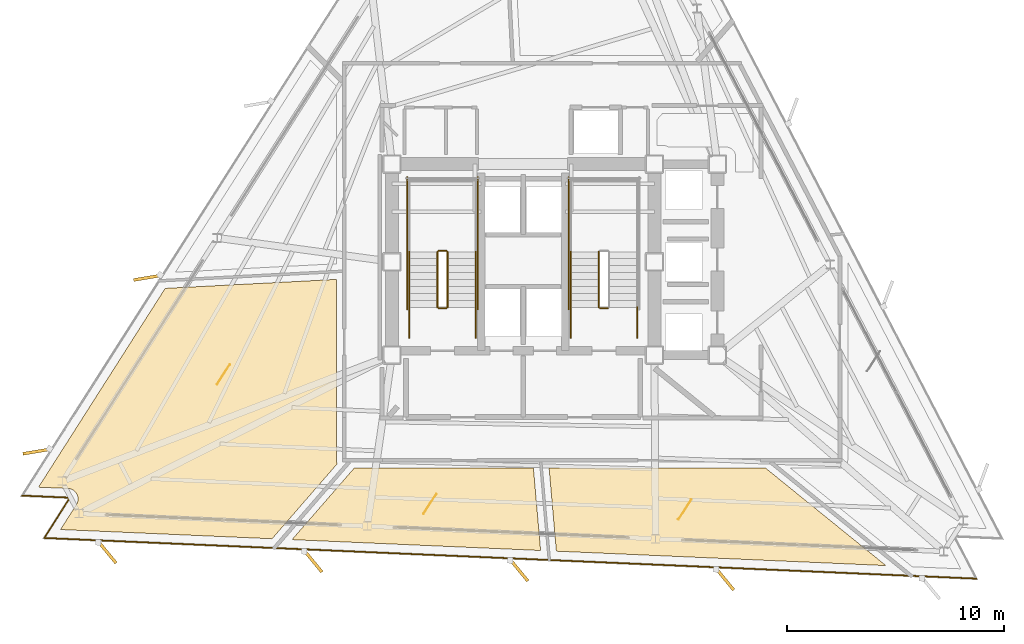
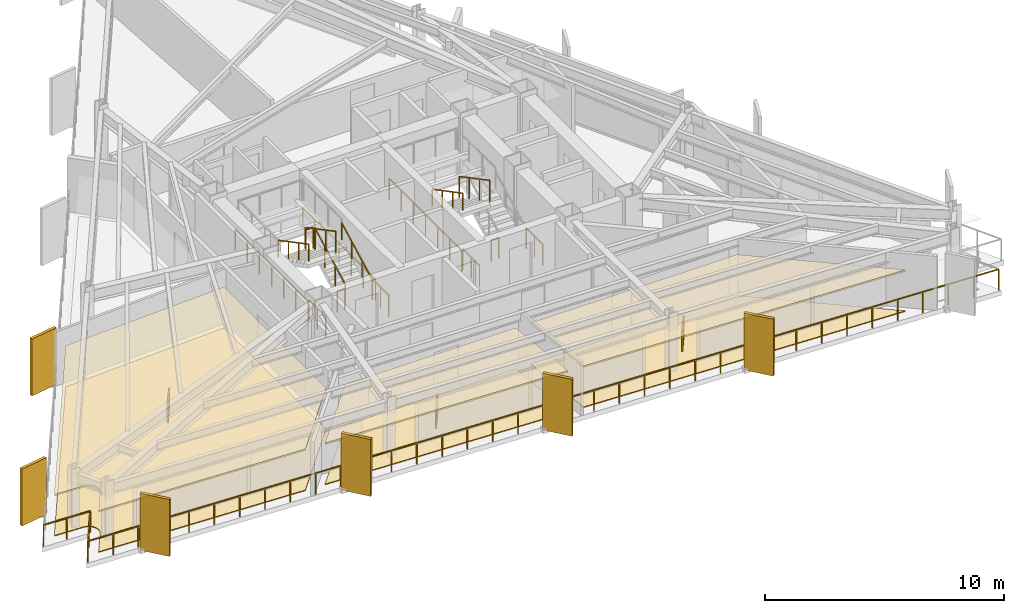
# One storey, part 10 of 12: 17 railings, 9 coverings, 6 shading devices.
"""IFC4 building model written with IfcOpenShell, lengths in metres."""

from ifc_helpers import new_model, si_unit, direction, frame, origin, origin_2d, place, context, subcontext, project, spatial, polyline, rectangle, outline, extrude, material, layer, layer_set, type_object, element, save


model = new_model("IFC4")

# Units and contexts
model_context = context("Model", 3, precision=1e-05, world=origin(), true_north=direction((0.0, 1.0)))
body_context = subcontext(model_context, "Body", "Model", "MODEL_VIEW")
ifc_project = project(units=[si_unit("LENGTHUNIT", "METRE"), si_unit("AREAUNIT", "SQUARE_METRE"), si_unit("VOLUMEUNIT", "CUBIC_METRE"), si_unit("PLANEANGLEUNIT", "RADIAN"), si_unit("MASSUNIT", "GRAM", prefix="KILO")], contexts=[model_context])

# Site, building, storey
site_placement = place(None, origin())
site = spatial("IfcSite", under=ifc_project, at=site_placement, CompositionType="ELEMENT")
building_placement = place(site_placement, origin())
building = spatial("IfcBuilding", under=site, at=building_placement, Name="Rocaltana Carrier Exchange", CompositionType="ELEMENT")
storey_placement = place(building_placement, frame((0.0, 0.0, 132.0)))
storey = spatial("IfcBuildingStorey", under=building, at=storey_placement, Name="L41", CompositionType="ELEMENT", Elevation=132.0)

# Coverings
ifc_material_1 = material(Name="Honed Bogota Sandstone Tile", Category="masonry")
ifc_layer_1 = layer(ifc_material_1, 0.0400390625)
ifc_layer_set_1 = layer_set([ifc_layer_1], Name="Honed Bogota Sandstone Tile")
covering_type_1 = type_object("IfcCoveringType", Name="Honed Stone Lobby Flooring 40", PredefinedType="FLOORING", material=ifc_layer_set_1)
covering_1_placement = place(storey_placement, origin())
element("IfcCovering", 1, at=covering_1_placement, inside=storey, type_object=covering_type_1, Name="L41 Carrier Peering Suite Finish Floor", PredefinedType="FLOORING", context=body_context, shape_type="SweptSolid", body=[
    extrude(outline(polyline([(-20.592041015625, -11.18798828125), (-20.584716796875, -11.176025390625), (-20.574951171875, -11.15869140625), (-20.562255859375, -11.1337890625), (-20.55419921875, -11.11572265625), (-20.544189453125, -11.089599609375), (-20.5380859375, -11.07080078125), (-20.530517578125, -11.043701171875), (-20.5263671875, -11.0244140625), (-20.521484375, -10.996826171875), (-20.519287109375, -10.97705078125), (-20.517333984375, -10.94921875), (-20.516845703125, -10.92919921875), (-20.517822265625, -10.9013671875), (-20.519287109375, -10.88134765625), (-20.523193359375, -10.853759765625), (-20.526611328125, -10.833984375), (-20.532958984375, -10.806884765625), (-20.53857421875, -10.787841796875), (-20.547607421875, -10.761474609375), (-20.554931640625, -10.742919921875), (-20.566650390625, -10.717529296875), (-20.575927734375, -10.69970703125), (-20.590087890625, -10.67578125), (-20.600830078125, -10.6591796875), (-20.6171875, -10.636474609375), (-20.6298828125, -10.62109375), (-20.6484375, -10.60009765625), (-20.66259765625, -10.5859375), (-20.68310546875, -10.567138671875), (-20.698486328125, -10.554443359375), (-20.720703125, -10.53759765625), (-20.7373046875, -10.526611328125), (-20.76123046875, -10.51220703125), (-20.77880859375, -10.502685546875), (-20.803955078125, -10.49072265625), (-20.822509765625, -10.483154296875), (-20.8486328125, -10.473876953125), (-20.867919921875, -10.468017578125), (-20.89501953125, -10.461181640625), (-20.91455078125, -10.45751953125), (-20.942138671875, -10.45361328125), (-20.9619140625, -10.45166015625), (-20.975830078125, -10.45068359375), (-22.34326171875, -10.39111328125), (-16.50390625, -1.225341796875), (-8.610107421875, -0.811767578125), (-8.610107421875, -9.14990234375), (-8.609619140625, -9.163818359375), (-8.609375, -9.171630859375), (-8.606689453125, -9.198974609375), (-8.60546875, -9.206787109375), (-8.60009765625, -9.233642578125), (-8.59814453125, -9.2412109375), (-8.590087890625, -9.267578125), (-8.58740234375, -9.27490234375), (-8.576904296875, -9.30029296875), (-8.57373046875, -9.307373046875), (-8.5712890625, -9.3115234375), (-11.576171875, -12.76806640625), (-21.327392578125, -12.34228515625), (-20.592041015625, -11.18798828125)])), origin(), (0.0, 0.0, 1.0), 0.0400390625),
])
covering_2_placement = place(storey_placement, origin())
element("IfcCovering", 2, at=covering_2_placement, inside=storey, type_object=covering_type_1, Name="L41 Carrier Peering Suite Finish Floor", PredefinedType="FLOORING", context=body_context, shape_type="SweptSolid", body=[
    extrude(outline(polyline([(-10.656982421875, -12.808349609375), (-7.789794921875, -9.510009765625), (0.470703125, -9.510009765625), (0.802978515625, -13.30859375), (-10.656982421875, -12.808349609375)])), origin(), (0.0, 0.0, 1.0), 0.0400390625),
])
covering_3_placement = place(storey_placement, origin())
element("IfcCovering", 3, at=covering_3_placement, inside=storey, type_object=covering_type_1, Name="L41 Cloud Architecture Office Finish Floor", PredefinedType="FLOORING", context=body_context, shape_type="SweptSolid", body=[
    extrude(outline(polyline([(1.528564453125, -13.34033203125), (1.193359375, -9.510009765625), (11.171875, -9.510009765625), (16.720947265625, -14.003662109375), (1.528564453125, -13.34033203125)])), origin(), (0.0, 0.0, 1.0), 0.0400390625),
])
ifc_material_2 = material(Name="Anodised Aluminium 6063-T6", Category="aluminium")
ifc_layer_2 = layer(ifc_material_2, 0.0849609375)
ifc_layer_set_2 = layer_set([ifc_layer_2], Name="Anodised Aluminium 6063-T6")
covering_type_2 = type_object("IfcCoveringType", Name="Linear Baffle Acoustic Ceiling 85", PredefinedType="CEILING", material=ifc_layer_set_2)
covering_4_placement = place(storey_placement, frame((0.0, 0.0, 2.052978515625)))
element("IfcCovering", 4, at=covering_4_placement, inside=storey, type_object=covering_type_2, Name="L41 Carrier Peering Suite Acoustic Ceiling", PredefinedType="CEILING", context=body_context, shape_type="SweptSolid", body=[
    extrude(outline(polyline([(-20.592041015625, -11.18798828125), (-20.584716796875, -11.176025390625), (-20.574951171875, -11.15869140625), (-20.562255859375, -11.1337890625), (-20.55419921875, -11.11572265625), (-20.544189453125, -11.089599609375), (-20.5380859375, -11.07080078125), (-20.530517578125, -11.043701171875), (-20.5263671875, -11.0244140625), (-20.521484375, -10.996826171875), (-20.519287109375, -10.97705078125), (-20.517333984375, -10.94921875), (-20.516845703125, -10.92919921875), (-20.517822265625, -10.9013671875), (-20.519287109375, -10.88134765625), (-20.523193359375, -10.853759765625), (-20.526611328125, -10.833984375), (-20.532958984375, -10.806884765625), (-20.53857421875, -10.787841796875), (-20.547607421875, -10.761474609375), (-20.554931640625, -10.742919921875), (-20.566650390625, -10.717529296875), (-20.575927734375, -10.69970703125), (-20.590087890625, -10.67578125), (-20.600830078125, -10.6591796875), (-20.6171875, -10.636474609375), (-20.6298828125, -10.62109375), (-20.6484375, -10.60009765625), (-20.66259765625, -10.5859375), (-20.68310546875, -10.567138671875), (-20.698486328125, -10.554443359375), (-20.720703125, -10.53759765625), (-20.7373046875, -10.526611328125), (-20.76123046875, -10.51220703125), (-20.77880859375, -10.502685546875), (-20.803955078125, -10.49072265625), (-20.822509765625, -10.483154296875), (-20.8486328125, -10.473876953125), (-20.867919921875, -10.468017578125), (-20.89501953125, -10.461181640625), (-20.91455078125, -10.45751953125), (-20.942138671875, -10.45361328125), (-20.9619140625, -10.45166015625), (-20.975830078125, -10.45068359375), (-22.34326171875, -10.39111328125), (-16.50390625, -1.225341796875), (-8.610107421875, -0.811767578125), (-8.610107421875, -9.14990234375), (-8.609619140625, -9.163818359375), (-8.609375, -9.171630859375), (-8.606689453125, -9.198974609375), (-8.60546875, -9.206787109375), (-8.60009765625, -9.233642578125), (-8.59814453125, -9.2412109375), (-8.590087890625, -9.267578125), (-8.58740234375, -9.27490234375), (-8.576904296875, -9.30029296875), (-8.57373046875, -9.307373046875), (-8.5712890625, -9.3115234375), (-11.576171875, -12.76806640625), (-21.327392578125, -12.34228515625), (-20.592041015625, -11.18798828125)])), origin(), (0.0, 0.0, 1.0), 0.0849609375),
])
covering_5_placement = place(storey_placement, frame((0.0, 0.0, 2.052978515625)))
element("IfcCovering", 5, at=covering_5_placement, inside=storey, type_object=covering_type_2, Name="L41 Carrier Peering Suite Acoustic Ceiling", PredefinedType="CEILING", context=body_context, shape_type="SweptSolid", body=[
    extrude(outline(polyline([(-10.656982421875, -12.808349609375), (-7.789794921875, -9.510009765625), (0.470703125, -9.510009765625), (0.802978515625, -13.30859375), (-10.656982421875, -12.808349609375)])), origin(), (0.0, 0.0, 1.0), 0.0849609375),
])
covering_6_placement = place(storey_placement, frame((0.0, 0.0, 2.052978515625)))
element("IfcCovering", 6, at=covering_6_placement, inside=storey, type_object=covering_type_2, Name="L41 Cloud Architecture Office Acoustic Ceiling", PredefinedType="CEILING", context=body_context, shape_type="SweptSolid", body=[
    extrude(outline(polyline([(1.528564453125, -13.34033203125), (1.193359375, -9.510009765625), (11.171875, -9.510009765625), (16.720947265625, -14.003662109375), (1.528564453125, -13.34033203125)])), origin(), (0.0, 0.0, 1.0), 0.0849609375),
])

# Railings
ifc_material_3 = material(Name="Brushed Architectural Stainless Tube", Category="steel")
ifc_layer_3 = layer(ifc_material_3, 0.048095703125)
ifc_layer_set_3 = layer_set([ifc_layer_3], Name="Brushed Architectural Stainless Tube")
railing_type_1 = type_object("IfcRailingType", Name="Stair Wall Handrail 920", PredefinedType="HANDRAIL", material=ifc_layer_set_3)
railing_1_placement = place(storey_placement, frame((-2.18994140625, -2.10009765625, 0.1689453125)))
element("IfcRailing", 7, at=railing_1_placement, inside=storey, type_object=railing_type_1, Name="L41 ST-1 stair handrail 1", PredefinedType="HANDRAIL", context=body_context, shape_type="SweptSolid", body=[
    extrude(rectangle(XDim=0.048095703125, YDim=0.048095703125, at=origin_2d()), frame((0.0, 0.0, 0.8759765625), z_axis=(0.0, 0.884394423565, 0.466740295633), x_axis=(-1.0, 0.0, 0.0)), (0.0, 0.0, 1.0), 2.894775390625),
    extrude(rectangle(XDim=0.0419921875, YDim=0.0419921875, at=origin_2d()), origin(), (0.0, 0.0, 1.0), 0.851806640625),
    extrude(rectangle(XDim=0.0419921875, YDim=0.0419921875, at=origin_2d()), frame((0.0, 0.853271484375, 0.450439453125)), (0.0, 0.0, 1.0), 0.851806640625),
    extrude(rectangle(XDim=0.0419921875, YDim=0.0419921875, at=origin_2d()), frame((0.0, 1.706787109375, 0.900634765625)), (0.0, 0.0, 1.0), 0.851806640625),
    extrude(rectangle(XDim=0.0419921875, YDim=0.0419921875, at=origin_2d()), frame((0.0, 2.56005859375, 1.35107421875)), (0.0, 0.0, 1.0), 0.851806640625),
])
for number, where, name in (
    (8, (-5.25, 0.4599609375, 1.68896484375), "L41 ST-1 stair handrail 2"),
    (9, (2.18994140625, 0.4599609375, 1.68896484375), "L41 ST-2 stair handrail 2"),
):
    element("IfcRailing", number, at=place(storey_placement, frame(where)), inside=storey, type_object=railing_type_1, Name=name, PredefinedType="HANDRAIL", context=body_context, shape_type="SweptSolid", body=[
        extrude(rectangle(XDim=0.048095703125, YDim=0.048095703125, at=origin_2d()), frame((0.0, 0.0, 0.8759765625), z_axis=(0.0, -0.884394423565, 0.466740295633), x_axis=(1.0, 0.0, 0.0)), (0.0, 0.0, 1.0), 2.894775390625),
        extrude(rectangle(XDim=0.0419921875, YDim=0.0419921875, at=origin_2d()), origin(), (0.0, 0.0, 1.0), 0.851806640625),
        extrude(rectangle(XDim=0.0419921875, YDim=0.0419921875, at=origin_2d()), frame((0.0, -0.853271484375, 0.450439453125)), (0.0, 0.0, 1.0), 0.851806640625),
        extrude(rectangle(XDim=0.0419921875, YDim=0.0419921875, at=origin_2d()), frame((0.0, -1.706787109375, 0.900634765625)), (0.0, 0.0, 1.0), 0.851806640625),
        extrude(rectangle(XDim=0.0419921875, YDim=0.0419921875, at=origin_2d()), frame((0.0, -2.56005859375, 1.35107421875)), (0.0, 0.0, 1.0), 0.851806640625),
    ])
ifc_material_4 = material(Name="Powder-Coated Aluminium 6063-T6", Category="aluminium")
ifc_layer_4 = layer(ifc_material_4, 0.048095703125)
ifc_layer_set_4 = layer_set([ifc_layer_4], Name="Powder-Coated Aluminium 6063-T6")
railing_type_2 = type_object("IfcRailingType", Name="Stair Well Guardrail 1100", PredefinedType="GUARDRAIL", material=ifc_layer_set_4)
railing_2_placement = place(storey_placement, frame((-3.489990234375, -2.10009765625, 0.1689453125)))
element("IfcRailing", 10, at=railing_2_placement, inside=storey, type_object=railing_type_2, Name="L41 ST-1 stair guard 1", PredefinedType="GUARDRAIL", context=body_context, shape_type="SweptSolid", body=[
    extrude(rectangle(XDim=0.048095703125, YDim=0.048095703125, at=origin_2d()), frame((0.0, 0.0, 1.076171875), z_axis=(0.0, 0.884394423565, 0.466740295633), x_axis=(-1.0, 0.0, 0.0)), (0.0, 0.0, 1.0), 2.894775390625),
    extrude(rectangle(XDim=0.0419921875, YDim=0.0419921875, at=origin_2d()), origin(), (0.0, 0.0, 1.0), 1.052001953125),
    extrude(rectangle(XDim=0.0419921875, YDim=0.0419921875, at=origin_2d()), frame((0.0, 0.853271484375, 0.450439453125)), (0.0, 0.0, 1.0), 1.052001953125),
    extrude(rectangle(XDim=0.0419921875, YDim=0.0419921875, at=origin_2d()), frame((0.0, 1.706787109375, 0.900634765625)), (0.0, 0.0, 1.0), 1.052001953125),
    extrude(rectangle(XDim=0.0419921875, YDim=0.0419921875, at=origin_2d()), frame((0.0, 2.56005859375, 1.35107421875)), (0.0, 0.0, 1.0), 1.052001953125),
])
railing_3_placement = place(storey_placement, frame((-3.5400390625, 0.510009765625, 1.52001953125)))
element("IfcRailing", 11, at=railing_3_placement, inside=storey, type_object=railing_type_2, Name="L41 ST-1 stair guard 2", PredefinedType="GUARDRAIL", context=body_context, shape_type="SweptSolid", body=[
    extrude(rectangle(XDim=0.048095703125, YDim=0.048095703125, at=origin_2d()), frame((0.0, 0.0, 1.076171875), z_axis=(-1.0, 0.0, 0.0), x_axis=(0.0, -1.0, 0.0)), (0.0, 0.0, 1.0), 0.35986328125),
    extrude(rectangle(XDim=0.0419921875, YDim=0.0419921875, at=origin_2d()), origin(), (0.0, 0.0, 1.0), 1.052001953125),
    extrude(rectangle(XDim=0.0419921875, YDim=0.0419921875, at=origin_2d()), frame((-0.35986328125, 0.0, 0.0)), (0.0, 0.0, 1.0), 1.052001953125),
])
railing_4_placement = place(storey_placement, frame((-3.949951171875, 0.4599609375, 1.68896484375)))
element("IfcRailing", 12, at=railing_4_placement, inside=storey, type_object=railing_type_2, Name="L41 ST-1 stair guard 6", PredefinedType="GUARDRAIL", context=body_context, shape_type="SweptSolid", body=[
    extrude(rectangle(XDim=0.048095703125, YDim=0.048095703125, at=origin_2d()), frame((0.0, 0.0, 1.076171875), z_axis=(0.0, -0.884394423565, 0.466740295633), x_axis=(1.0, 0.0, 0.0)), (0.0, 0.0, 1.0), 2.894775390625),
    extrude(rectangle(XDim=0.0419921875, YDim=0.0419921875, at=origin_2d()), origin(), (0.0, 0.0, 1.0), 1.052001953125),
    extrude(rectangle(XDim=0.0419921875, YDim=0.0419921875, at=origin_2d()), frame((0.0, -0.853271484375, 0.450439453125)), (0.0, 0.0, 1.0), 1.052001953125),
    extrude(rectangle(XDim=0.0419921875, YDim=0.0419921875, at=origin_2d()), frame((0.0, -1.706787109375, 0.900634765625)), (0.0, 0.0, 1.0), 1.052001953125),
    extrude(rectangle(XDim=0.0419921875, YDim=0.0419921875, at=origin_2d()), frame((0.0, -2.56005859375, 1.35107421875)), (0.0, 0.0, 1.0), 1.052001953125),
])
railing_5_placement = place(storey_placement, frame((-3.5400390625, -2.14990234375, 0.0)))
element("IfcRailing", 13, at=railing_5_placement, inside=storey, type_object=railing_type_2, Name="L41 ST-1 stair guard 7", PredefinedType="GUARDRAIL", context=body_context, shape_type="SweptSolid", body=[
    extrude(rectangle(XDim=0.048095703125, YDim=0.048095703125, at=origin_2d()), frame((0.0, 0.0, 1.076171875), z_axis=(-1.0, 0.0, 0.0), x_axis=(0.0, -1.0, 0.0)), (0.0, 0.0, 1.0), 0.35986328125),
    extrude(rectangle(XDim=0.0419921875, YDim=0.0419921875, at=origin_2d()), origin(), (0.0, 0.0, 1.0), 1.052001953125),
    extrude(rectangle(XDim=0.0419921875, YDim=0.0419921875, at=origin_2d()), frame((-0.35986328125, 0.0, 0.0)), (0.0, 0.0, 1.0), 1.052001953125),
])
for number, where, name in (
    (14, (-2.18994140625, -3.5, 0.0), "L41 ST-1 stair guard 8"),
    (15, (-5.25, -3.5, 0.0), "L41 ST-1 stair guard 9"),
):
    element("IfcRailing", number, at=place(storey_placement, frame(where)), inside=storey, type_object=railing_type_2, Name=name, PredefinedType="GUARDRAIL", context=body_context, shape_type="SweptSolid", body=[
        extrude(rectangle(XDim=0.048095703125, YDim=0.048095703125, at=origin_2d()), frame((0.0, 0.0, 1.076171875), z_axis=(0.0, 1.0, 0.0), x_axis=(-1.0, 0.0, 0.0)), (0.0, 0.0, 1.0), 1.39990234375),
        extrude(rectangle(XDim=0.0419921875, YDim=0.0419921875, at=origin_2d()), origin(), (0.0, 0.0, 1.0), 1.052001953125),
        extrude(rectangle(XDim=0.0419921875, YDim=0.0419921875, at=origin_2d()), frame((0.0, 0.699951171875, 0.0)), (0.0, 0.0, 1.0), 1.052001953125),
        extrude(rectangle(XDim=0.0419921875, YDim=0.0419921875, at=origin_2d()), frame((0.0, 1.39990234375, 0.0)), (0.0, 0.0, 1.0), 1.052001953125),
    ])
for number, where, name in (
    (16, (-2.090087890625, -2.199951171875, 0.0), "L41 ST-1 stair guard 10"),
    (17, (-5.35009765625, -2.199951171875, 0.0), "L41 ST-1 stair guard 11"),
):
    element("IfcRailing", number, at=place(storey_placement, frame(where)), inside=storey, type_object=railing_type_2, Name=name, PredefinedType="GUARDRAIL", context=body_context, shape_type="SweptSolid", body=[
        extrude(rectangle(XDim=0.048095703125, YDim=0.048095703125, at=origin_2d()), frame((0.0, 0.0, 1.076171875), z_axis=(0.0, 1.0, 0.0), x_axis=(-1.0, 0.0, 0.0)), (0.0, 0.0, 1.0), 6.099853515625),
        extrude(rectangle(XDim=0.0419921875, YDim=0.0419921875, at=origin_2d()), origin(), (0.0, 0.0, 1.0), 1.052001953125),
        extrude(rectangle(XDim=0.0419921875, YDim=0.0419921875, at=origin_2d()), frame((0.0, 1.0166015625, 0.0)), (0.0, 0.0, 1.0), 1.052001953125),
        extrude(rectangle(XDim=0.0419921875, YDim=0.0419921875, at=origin_2d()), frame((0.0, 2.033203125, 0.0)), (0.0, 0.0, 1.0), 1.052001953125),
        extrude(rectangle(XDim=0.0419921875, YDim=0.0419921875, at=origin_2d()), frame((0.0, 3.0498046875, 0.0)), (0.0, 0.0, 1.0), 1.052001953125),
        extrude(rectangle(XDim=0.0419921875, YDim=0.0419921875, at=origin_2d()), frame((0.0, 4.066650390625, 0.0)), (0.0, 0.0, 1.0), 1.052001953125),
        extrude(rectangle(XDim=0.0419921875, YDim=0.0419921875, at=origin_2d()), frame((0.0, 5.083251953125, 0.0)), (0.0, 0.0, 1.0), 1.052001953125),
        extrude(rectangle(XDim=0.0419921875, YDim=0.0419921875, at=origin_2d()), frame((0.0, 6.099853515625, 0.0)), (0.0, 0.0, 1.0), 1.052001953125),
    ])
railing_6_placement = place(storey_placement, frame((3.489990234375, 0.4599609375, 1.68896484375)))
element("IfcRailing", 18, at=railing_6_placement, inside=storey, type_object=railing_type_2, Name="L41 ST-2 stair guard 6", PredefinedType="GUARDRAIL", context=body_context, shape_type="SweptSolid", body=[
    extrude(rectangle(XDim=0.048095703125, YDim=0.048095703125, at=origin_2d()), frame((0.0, 0.0, 1.076171875), z_axis=(0.0, -0.884394423565, 0.466740295633), x_axis=(1.0, 0.0, 0.0)), (0.0, 0.0, 1.0), 2.894775390625),
    extrude(rectangle(XDim=0.0419921875, YDim=0.0419921875, at=origin_2d()), origin(), (0.0, 0.0, 1.0), 1.052001953125),
    extrude(rectangle(XDim=0.0419921875, YDim=0.0419921875, at=origin_2d()), frame((0.0, -0.853271484375, 0.450439453125)), (0.0, 0.0, 1.0), 1.052001953125),
    extrude(rectangle(XDim=0.0419921875, YDim=0.0419921875, at=origin_2d()), frame((0.0, -1.706787109375, 0.900634765625)), (0.0, 0.0, 1.0), 1.052001953125),
    extrude(rectangle(XDim=0.0419921875, YDim=0.0419921875, at=origin_2d()), frame((0.0, -2.56005859375, 1.35107421875)), (0.0, 0.0, 1.0), 1.052001953125),
])
railing_7_placement = place(storey_placement, frame((3.89990234375, -2.14990234375, 0.0)))
element("IfcRailing", 19, at=railing_7_placement, inside=storey, type_object=railing_type_2, Name="L41 ST-2 stair guard 7", PredefinedType="GUARDRAIL", context=body_context, shape_type="SweptSolid", body=[
    extrude(rectangle(XDim=0.048095703125, YDim=0.048095703125, at=origin_2d()), frame((0.0, 0.0, 1.076171875), z_axis=(-1.0, 0.0, 0.0), x_axis=(0.0, -1.0, 0.0)), (0.0, 0.0, 1.0), 0.35986328125),
    extrude(rectangle(XDim=0.0419921875, YDim=0.0419921875, at=origin_2d()), origin(), (0.0, 0.0, 1.0), 1.052001953125),
    extrude(rectangle(XDim=0.0419921875, YDim=0.0419921875, at=origin_2d()), frame((-0.35986328125, 0.0, 0.0)), (0.0, 0.0, 1.0), 1.052001953125),
])
for number, where, name in (
    (20, (5.25, -3.5, 0.0), "L41 ST-2 stair guard 8"),
    (21, (2.18994140625, -3.5, 0.0), "L41 ST-2 stair guard 9"),
):
    element("IfcRailing", number, at=place(storey_placement, frame(where)), inside=storey, type_object=railing_type_2, Name=name, PredefinedType="GUARDRAIL", context=body_context, shape_type="SweptSolid", body=[
        extrude(rectangle(XDim=0.048095703125, YDim=0.048095703125, at=origin_2d()), frame((0.0, 0.0, 1.076171875), z_axis=(0.0, 1.0, 0.0), x_axis=(-1.0, 0.0, 0.0)), (0.0, 0.0, 1.0), 1.39990234375),
        extrude(rectangle(XDim=0.0419921875, YDim=0.0419921875, at=origin_2d()), origin(), (0.0, 0.0, 1.0), 1.052001953125),
        extrude(rectangle(XDim=0.0419921875, YDim=0.0419921875, at=origin_2d()), frame((0.0, 0.699951171875, 0.0)), (0.0, 0.0, 1.0), 1.052001953125),
        extrude(rectangle(XDim=0.0419921875, YDim=0.0419921875, at=origin_2d()), frame((0.0, 1.39990234375, 0.0)), (0.0, 0.0, 1.0), 1.052001953125),
    ])
railing_8_placement = place(storey_placement, frame((2.090087890625, -2.199951171875, 0.0)))
element("IfcRailing", 22, at=railing_8_placement, inside=storey, type_object=railing_type_2, Name="L41 ST-2 stair guard 11", PredefinedType="GUARDRAIL", context=body_context, shape_type="SweptSolid", body=[
    extrude(rectangle(XDim=0.048095703125, YDim=0.048095703125, at=origin_2d()), frame((0.0, 0.0, 1.076171875), z_axis=(0.0, 1.0, 0.0), x_axis=(-1.0, 0.0, 0.0)), (0.0, 0.0, 1.0), 6.099853515625),
    extrude(rectangle(XDim=0.0419921875, YDim=0.0419921875, at=origin_2d()), origin(), (0.0, 0.0, 1.0), 1.052001953125),
    extrude(rectangle(XDim=0.0419921875, YDim=0.0419921875, at=origin_2d()), frame((0.0, 1.0166015625, 0.0)), (0.0, 0.0, 1.0), 1.052001953125),
    extrude(rectangle(XDim=0.0419921875, YDim=0.0419921875, at=origin_2d()), frame((0.0, 2.033203125, 0.0)), (0.0, 0.0, 1.0), 1.052001953125),
    extrude(rectangle(XDim=0.0419921875, YDim=0.0419921875, at=origin_2d()), frame((0.0, 3.0498046875, 0.0)), (0.0, 0.0, 1.0), 1.052001953125),
    extrude(rectangle(XDim=0.0419921875, YDim=0.0419921875, at=origin_2d()), frame((0.0, 4.066650390625, 0.0)), (0.0, 0.0, 1.0), 1.052001953125),
    extrude(rectangle(XDim=0.0419921875, YDim=0.0419921875, at=origin_2d()), frame((0.0, 5.083251953125, 0.0)), (0.0, 0.0, 1.0), 1.052001953125),
    extrude(rectangle(XDim=0.0419921875, YDim=0.0419921875, at=origin_2d()), frame((0.0, 6.099853515625, 0.0)), (0.0, 0.0, 1.0), 1.052001953125),
])

# Coverings
ifc_material_5 = material(Name="Honed Piedra Muneca Sandstone", Category="masonry")
ifc_layer_5 = layer(ifc_material_5, 0.034912109375)
ifc_layer_set_5 = layer_set([ifc_layer_5], Name="Honed Piedra Muneca Sandstone")
covering_type_3 = type_object("IfcCoveringType", Name="Stone Facade Cladding 35", PredefinedType="CLADDING", material=ifc_layer_set_5)
for number, where, z_axis, x_axis, name in (
    (23, (-13.819091796875, -5.187744140625, 0.0), (0.0, 0.0, 1.0), (0.544639035015, 0.838670567945, 0.0), "L41 Stone Facade Cladding Panel 1"),
    (24, (-4.30419921875, -11.1591796875, 0.0), (0.0, 0.0, 1.0), (0.544639035015, 0.838670567945, 0.0), "L41 Stone Facade Cladding Panel 2"),
    (25, (7.448974609375, -11.425048828125, 0.0), (0.0, 0.0, 1.0), (0.544639035015, 0.838670567945, 0.0), "L41 Stone Facade Cladding Panel 3"),
):
    element("IfcCovering", number, at=place(storey_placement, frame(where, z_axis=z_axis, x_axis=x_axis)), inside=storey, type_object=covering_type_3, Name=name, PredefinedType="CLADDING", context=body_context, shape_type="SweptSolid", body=[
        extrude(rectangle(XDim=1.10009765625, YDim=0.034912109375, at=origin_2d()), origin(), (0.0, 0.0, 1.0), 1.050048828125),
    ])

# Shading devices
ifc_material_6 = material(Name="Honed Bogota Sandstone & Concrete C45/55", Category="masonry")
ifc_layer_6 = layer(ifc_material_6, 0.139892578125)
ifc_layer_set_6 = layer_set([ifc_layer_6], Name="Honed Bogota Sandstone & Concrete C45/55")
shading_device_type = type_object("IfcShadingDeviceType", Name="Vertical Sandstone Shading Fin 1320x140", PredefinedType="USERDEFINED", material=ifc_layer_set_6)
for number, where, z_axis, x_axis, name in (
    (26, (-17.3046875, -0.7314453125, -0.1201171875), (0.0, 0.0, 1.0), (-0.986285601537, -0.165047605861, 0.0), "L41 Sandstone Vertical Fin F2-04"),
    (27, (-22.4091796875, -8.743896484375, -0.1201171875), (0.0, 0.0, 1.0), (-0.986285601537, -0.165047605861, 0.0), "L41 Sandstone Vertical Fin F2-05"),
    (28, (-19.18701171875, -13.37744140625, -0.1201171875), (0.0, 0.0, 1.0), (0.636078220278, -0.771624583388, 0.0), "L41 Sandstone Vertical Fin F3-01"),
    (29, (-9.696044921875, -13.7919921875, -0.1201171875), (0.0, 0.0, 1.0), (0.636078220278, -0.771624583388, 0.0), "L41 Sandstone Vertical Fin F3-02"),
    (30, (-0.205078125, -14.206298828125, -0.1201171875), (0.0, 0.0, 1.0), (0.636078220278, -0.771624583388, 0.0), "L41 Sandstone Vertical Fin F3-03"),
    (31, (9.285888671875, -14.62060546875, -0.1201171875), (0.0, 0.0, 1.0), (0.636078220278, -0.771624583388, 0.0), "L41 Sandstone Vertical Fin F3-04"),
):
    element("IfcShadingDevice", number, at=place(storey_placement, frame(where, z_axis=z_axis, x_axis=x_axis)), inside=storey, type_object=shading_device_type, Name=name, ObjectType="FIN", PredefinedType="USERDEFINED", context=body_context, shape_type="SweptSolid", body=[
        extrude(rectangle(XDim=1.320068359375, YDim=0.139892578125, at=origin_2d()), origin(), (0.0, 0.0, 1.0), 2.907958984375),
    ])

# Railing
ifc_material_7 = material(Name="Powder-Coated Aluminium 6063-T6", Category="aluminium")
ifc_layer_7 = layer(ifc_material_7, 0.06005859375)
ifc_layer_set_7 = layer_set([ifc_layer_7], Name="Powder-Coated Aluminium 6063-T6")
railing_type_3 = type_object("IfcRailingType", Name="Wind-Floor & Terrace Perimeter Guardrail 1100", PredefinedType="GUARDRAIL", material=ifc_layer_set_7)
railing_9_placement = place(storey_placement, frame((20.87890625, -14.60546875, 0.0)))
element("IfcRailing", 32, at=railing_9_placement, inside=storey, type_object=railing_type_3, Name="L41 Perimeter Balcony Guardrail 1", PredefinedType="GUARDRAIL", context=body_context, shape_type="SweptSolid", body=[
    extrude(rectangle(XDim=0.048095703125, YDim=0.048095703125, at=origin_2d()), frame((0.0, 0.0, 1.076171875), z_axis=(-0.999048277514, 0.043618106279, 0.0), x_axis=(-0.043618106279, -0.999048277514, 0.0)), (0.0, 0.0, 1.0), 42.992431640625),
    extrude(rectangle(XDim=0.048095703125, YDim=0.048095703125, at=origin_2d()), frame((-42.951416015625, 1.875244140625, 1.076171875), z_axis=(0.537320606179, 0.843378068351, 0.0), x_axis=(-0.843378068351, 0.537320606179, 0.0)), (0.0, 0.0, 1.0), 2.199951171875),
    extrude(rectangle(XDim=0.048095703125, YDim=0.048095703125, at=origin_2d()), frame((-41.769287109375, 3.730712890625, 1.076171875), z_axis=(-0.999048605837, 0.043610585593, 0.0), x_axis=(-0.043610585593, -0.999048605837, 0.0)), (0.0, 0.0, 1.0), 2.2001953125),
    extrude(rectangle(XDim=0.0419921875, YDim=0.0419921875, at=origin_2d()), origin(), (0.0, 0.0, 1.0), 1.052001953125),
    extrude(rectangle(XDim=0.0419921875, YDim=0.0419921875, at=origin_2d()), frame((-1.193115234375, 0.052001953125, 0.0)), (0.0, 0.0, 1.0), 1.052001953125),
    extrude(rectangle(XDim=0.0419921875, YDim=0.0419921875, at=origin_2d()), frame((-2.38623046875, 0.104248046875, 0.0)), (0.0, 0.0, 1.0), 1.052001953125),
    extrude(rectangle(XDim=0.0419921875, YDim=0.0419921875, at=origin_2d()), frame((-3.579345703125, 0.15625, 0.0)), (0.0, 0.0, 1.0), 1.052001953125),
    extrude(rectangle(XDim=0.0419921875, YDim=0.0419921875, at=origin_2d()), frame((-4.7724609375, 0.208251953125, 0.0)), (0.0, 0.0, 1.0), 1.052001953125),
    extrude(rectangle(XDim=0.0419921875, YDim=0.0419921875, at=origin_2d()), frame((-5.965576171875, 0.260498046875, 0.0)), (0.0, 0.0, 1.0), 1.052001953125),
    extrude(rectangle(XDim=0.0419921875, YDim=0.0419921875, at=origin_2d()), frame((-7.15869140625, 0.3125, 0.0)), (0.0, 0.0, 1.0), 1.052001953125),
    extrude(rectangle(XDim=0.0419921875, YDim=0.0419921875, at=origin_2d()), frame((-8.3515625, 0.36474609375, 0.0)), (0.0, 0.0, 1.0), 1.052001953125),
    extrude(rectangle(XDim=0.0419921875, YDim=0.0419921875, at=origin_2d()), frame((-9.544677734375, 0.416748046875, 0.0)), (0.0, 0.0, 1.0), 1.052001953125),
    extrude(rectangle(XDim=0.0419921875, YDim=0.0419921875, at=origin_2d()), frame((-10.73779296875, 0.46875, 0.0)), (0.0, 0.0, 1.0), 1.052001953125),
    extrude(rectangle(XDim=0.0419921875, YDim=0.0419921875, at=origin_2d()), frame((-11.930908203125, 0.52099609375, 0.0)), (0.0, 0.0, 1.0), 1.052001953125),
    extrude(rectangle(XDim=0.0419921875, YDim=0.0419921875, at=origin_2d()), frame((-13.1240234375, 0.572998046875, 0.0)), (0.0, 0.0, 1.0), 1.052001953125),
    extrude(rectangle(XDim=0.0419921875, YDim=0.0419921875, at=origin_2d()), frame((-14.317138671875, 0.625, 0.0)), (0.0, 0.0, 1.0), 1.052001953125),
    extrude(rectangle(XDim=0.0419921875, YDim=0.0419921875, at=origin_2d()), frame((-15.51025390625, 0.67724609375, 0.0)), (0.0, 0.0, 1.0), 1.052001953125),
    extrude(rectangle(XDim=0.0419921875, YDim=0.0419921875, at=origin_2d()), frame((-16.703369140625, 0.729248046875, 0.0)), (0.0, 0.0, 1.0), 1.052001953125),
    extrude(rectangle(XDim=0.0419921875, YDim=0.0419921875, at=origin_2d()), frame((-17.896484375, 0.78125, 0.0)), (0.0, 0.0, 1.0), 1.052001953125),
    extrude(rectangle(XDim=0.0419921875, YDim=0.0419921875, at=origin_2d()), frame((-19.089599609375, 0.83349609375, 0.0)), (0.0, 0.0, 1.0), 1.052001953125),
    extrude(rectangle(XDim=0.0419921875, YDim=0.0419921875, at=origin_2d()), frame((-20.28271484375, 0.885498046875, 0.0)), (0.0, 0.0, 1.0), 1.052001953125),
    extrude(rectangle(XDim=0.0419921875, YDim=0.0419921875, at=origin_2d()), frame((-21.4755859375, 0.9375, 0.0)), (0.0, 0.0, 1.0), 1.052001953125),
    extrude(rectangle(XDim=0.0419921875, YDim=0.0419921875, at=origin_2d()), frame((-22.668701171875, 0.98974609375, 0.0)), (0.0, 0.0, 1.0), 1.052001953125),
    extrude(rectangle(XDim=0.0419921875, YDim=0.0419921875, at=origin_2d()), frame((-23.86181640625, 1.041748046875, 0.0)), (0.0, 0.0, 1.0), 1.052001953125),
    extrude(rectangle(XDim=0.0419921875, YDim=0.0419921875, at=origin_2d()), frame((-25.054931640625, 1.093994140625, 0.0)), (0.0, 0.0, 1.0), 1.052001953125),
    extrude(rectangle(XDim=0.0419921875, YDim=0.0419921875, at=origin_2d()), frame((-26.248046875, 1.14599609375, 0.0)), (0.0, 0.0, 1.0), 1.052001953125),
    extrude(rectangle(XDim=0.0419921875, YDim=0.0419921875, at=origin_2d()), frame((-27.441162109375, 1.197998046875, 0.0)), (0.0, 0.0, 1.0), 1.052001953125),
    extrude(rectangle(XDim=0.0419921875, YDim=0.0419921875, at=origin_2d()), frame((-28.63427734375, 1.250244140625, 0.0)), (0.0, 0.0, 1.0), 1.052001953125),
    extrude(rectangle(XDim=0.0419921875, YDim=0.0419921875, at=origin_2d()), frame((-29.827392578125, 1.30224609375, 0.0)), (0.0, 0.0, 1.0), 1.052001953125),
    extrude(rectangle(XDim=0.0419921875, YDim=0.0419921875, at=origin_2d()), frame((-31.0205078125, 1.354248046875, 0.0)), (0.0, 0.0, 1.0), 1.052001953125),
    extrude(rectangle(XDim=0.0419921875, YDim=0.0419921875, at=origin_2d()), frame((-32.213623046875, 1.406494140625, 0.0)), (0.0, 0.0, 1.0), 1.052001953125),
    extrude(rectangle(XDim=0.0419921875, YDim=0.0419921875, at=origin_2d()), frame((-33.40673828125, 1.45849609375, 0.0)), (0.0, 0.0, 1.0), 1.052001953125),
    extrude(rectangle(XDim=0.0419921875, YDim=0.0419921875, at=origin_2d()), frame((-34.599853515625, 1.510498046875, 0.0)), (0.0, 0.0, 1.0), 1.052001953125),
    extrude(rectangle(XDim=0.0419921875, YDim=0.0419921875, at=origin_2d()), frame((-35.79296875, 1.562744140625, 0.0)), (0.0, 0.0, 1.0), 1.052001953125),
    extrude(rectangle(XDim=0.0419921875, YDim=0.0419921875, at=origin_2d()), frame((-36.98583984375, 1.61474609375, 0.0)), (0.0, 0.0, 1.0), 1.052001953125),
    extrude(rectangle(XDim=0.0419921875, YDim=0.0419921875, at=origin_2d()), frame((-38.178955078125, 1.6669921875, 0.0)), (0.0, 0.0, 1.0), 1.052001953125),
    extrude(rectangle(XDim=0.0419921875, YDim=0.0419921875, at=origin_2d()), frame((-39.3720703125, 1.718994140625, 0.0)), (0.0, 0.0, 1.0), 1.052001953125),
    extrude(rectangle(XDim=0.0419921875, YDim=0.0419921875, at=origin_2d()), frame((-40.565185546875, 1.77099609375, 0.0)), (0.0, 0.0, 1.0), 1.052001953125),
    extrude(rectangle(XDim=0.0419921875, YDim=0.0419921875, at=origin_2d()), frame((-41.75830078125, 1.8232421875, 0.0)), (0.0, 0.0, 1.0), 1.052001953125),
    extrude(rectangle(XDim=0.0419921875, YDim=0.0419921875, at=origin_2d()), frame((-42.951416015625, 1.875244140625, 0.0)), (0.0, 0.0, 1.0), 1.052001953125),
    extrude(rectangle(XDim=0.0419921875, YDim=0.0419921875, at=origin_2d()), frame((-42.3603515625, 2.802978515625, 0.0)), (0.0, 0.0, 1.0), 1.052001953125),
    extrude(rectangle(XDim=0.0419921875, YDim=0.0419921875, at=origin_2d()), frame((-41.769287109375, 3.730712890625, 0.0)), (0.0, 0.0, 1.0), 1.052001953125),
    extrude(rectangle(XDim=0.0419921875, YDim=0.0419921875, at=origin_2d()), frame((-42.8681640625, 3.77880859375, 0.0)), (0.0, 0.0, 1.0), 1.052001953125),
    extrude(rectangle(XDim=0.0419921875, YDim=0.0419921875, at=origin_2d()), frame((-43.96728515625, 3.82666015625, 0.0)), (0.0, 0.0, 1.0), 1.052001953125),
])

save(model, "model.ifc")
